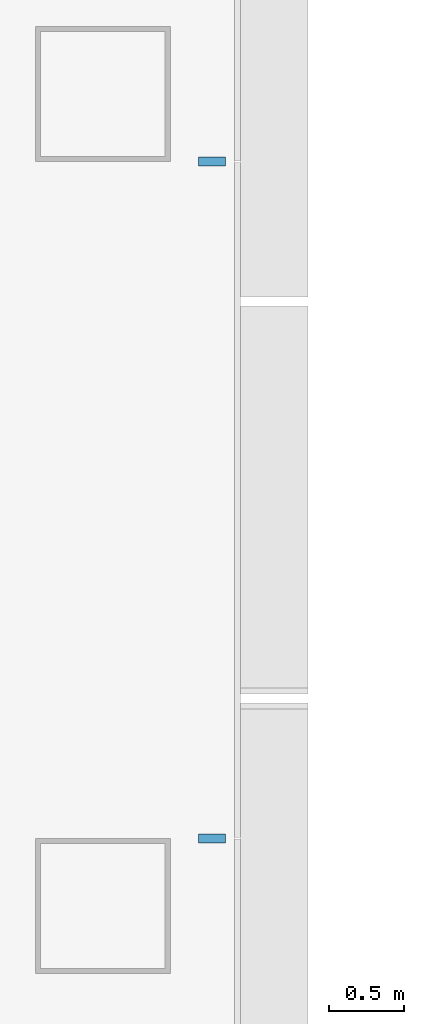
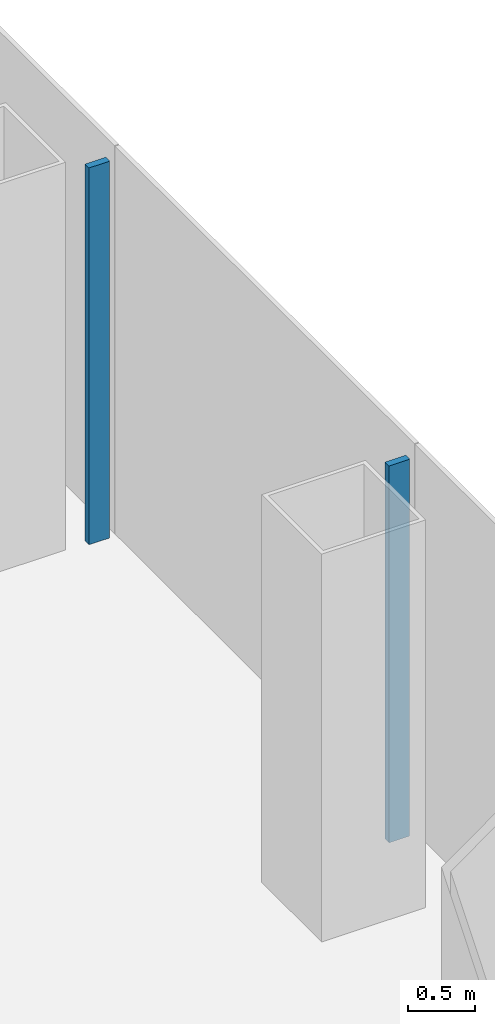
# One storey, part 4 of 18: 2 members, 1 element without a shape of its own.
"""IFC4 building model written with IfcOpenShell, lengths in metres."""

from ifc_helpers import new_model, si_unit, direction, frame, origin, origin_2d, place, context, subcontext, project, spatial, rectangle, extrude, material, layer, layer_set, material_profile, profile_set, type_object, element, aggregate, save


model = new_model("IFC4")

# Units and contexts
model_context = context("Model", 3, precision=1e-05, world=origin(), true_north=direction((0.0, 1.0)))
body_context = subcontext(model_context, "Body", "Model", "MODEL_VIEW")
ifc_project = project(units=[si_unit("LENGTHUNIT", "METRE"), si_unit("AREAUNIT", "SQUARE_METRE"), si_unit("VOLUMEUNIT", "CUBIC_METRE"), si_unit("PLANEANGLEUNIT", "RADIAN"), si_unit("MASSUNIT", "GRAM", prefix="KILO")], contexts=[model_context])

# Site, building, storey
site_placement = place(None, origin())
site = spatial("IfcSite", under=ifc_project, at=site_placement, CompositionType="ELEMENT")
building_placement = place(site_placement, origin())
building = spatial("IfcBuilding", under=site, at=building_placement, Name="Shamsa Quay Exchange Towers", CompositionType="ELEMENT")
storey_placement = place(building_placement, frame((0.0, 0.0, 113.10009765625)))
storey = spatial("IfcBuildingStorey", under=building, at=storey_placement, Name="L26", CompositionType="ELEMENT", Elevation=113.10009765625)

# Curtain wall, members
ifc_material = material(Name="Aluminium EN AW-6063 T6, black anodised", Category="aluminium")
ifc_layer = layer(ifc_material, 0.280029296875)
ifc_layer_set = layer_set([ifc_layer], Name="CW-1 UNITISED VISION GLASS")
curtain_wall_type = type_object("IfcCurtainWallType", Name="CW-1 UNITISED VISION GLASS", PredefinedType="NOTDEFINED", material=ifc_layer_set)
curtain_wall_placement = place(storey_placement, origin())
curtain_wall = element("IfcCurtainWall", 1, at=curtain_wall_placement, inside=storey, type_object=curtain_wall_type, Name="CW1 T1-END-U+ L26", PredefinedType="NOTDEFINED")
ifc_material_profile = material_profile(ifc_material, rectangle(XDim=0.179931640625, YDim=0.06005859375, at=origin_2d()), Name="MU60x180")
ifc_profile_set = profile_set([ifc_material_profile], Name="Aluminium EN AW-6063 T6, black anodised")
member_type = type_object("IfcMemberType", Name="CW1 MULLION 60x180", PredefinedType="MULLION", material=ifc_profile_set)
member_1_placement = place(storey_placement, frame((-4.64990234375, -2.25, 0.0), z_axis=(0.0, 0.0, 1.0), x_axis=(-1.0, 0.0, 0.0)))
member_1 = element("IfcMember", 2, at=member_1_placement, type_object=member_type, Name="CW1 mullion", PredefinedType="MULLION", context=body_context, shape_type="SweptSolid", body=[
    extrude(rectangle(XDim=0.179931640625, YDim=0.06005859375, at=origin_2d()), origin(), (0.0, 0.0, 1.0), 3.449951171875),
])
member_2_placement = place(storey_placement, frame((-4.64990234375, 2.25, 0.0), z_axis=(0.0, 0.0, 1.0), x_axis=(-1.0, 0.0, 0.0)))
member_2 = element("IfcMember", 3, at=member_2_placement, type_object=member_type, Name="CW1 mullion", PredefinedType="MULLION", context=body_context, shape_type="SweptSolid", body=[
    extrude(rectangle(XDim=0.179931640625, YDim=0.06005859375, at=origin_2d()), origin(), (0.0, 0.0, 1.0), 3.449951171875),
])
aggregate(curtain_wall, [member_1, member_2])

save(model, "model.ifc")
